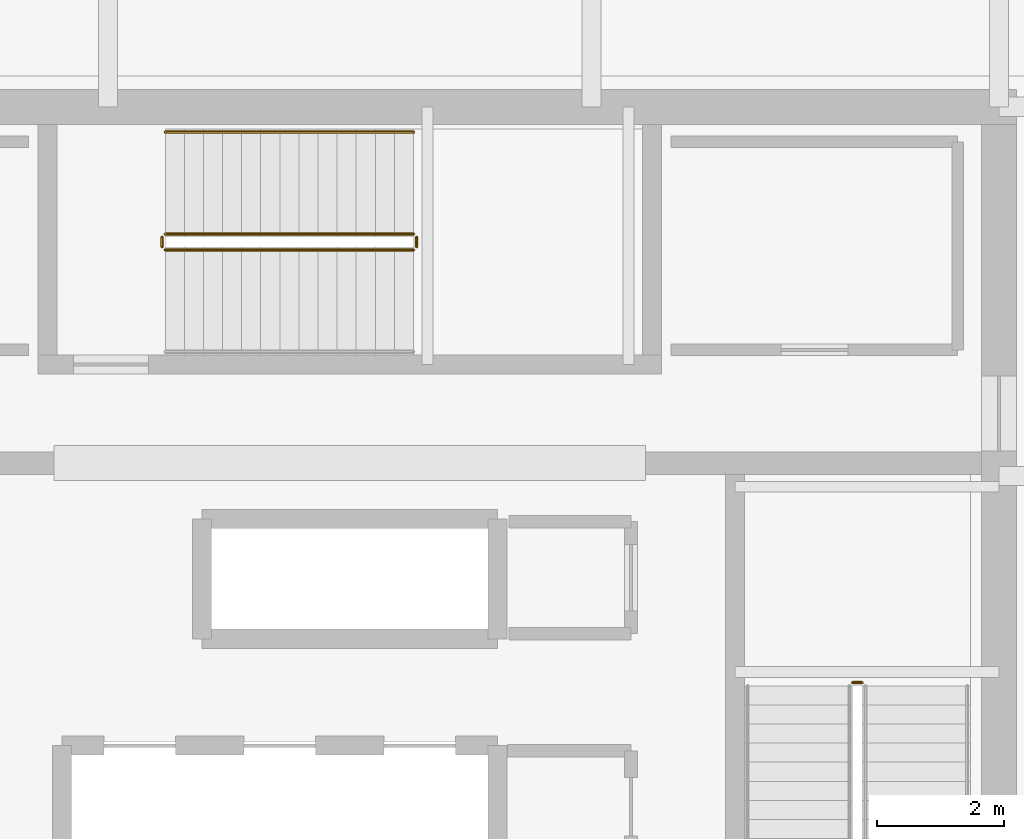
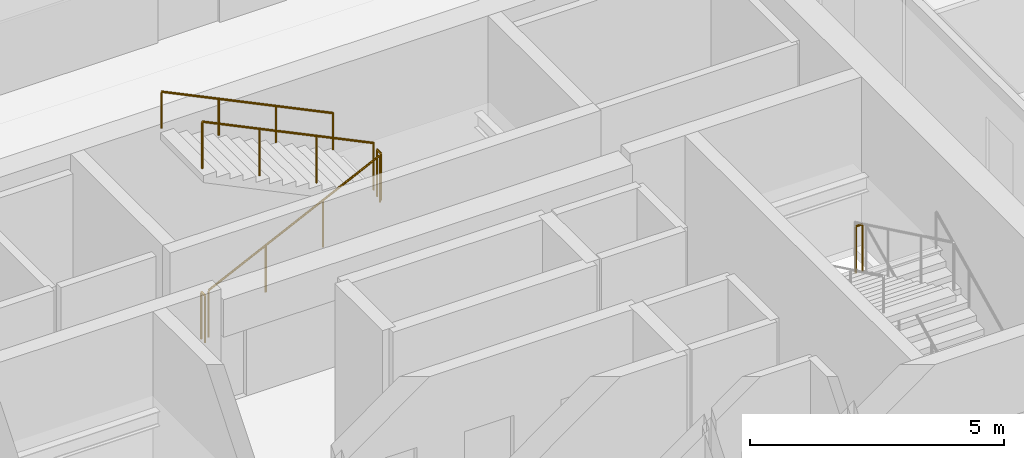
# One storey, part 41 of 42: 6 railings.
"""IFC4 building model written with IfcOpenShell, lengths in metres."""

from ifc_helpers import new_model, si_unit, direction, frame, origin, origin_2d, place, context, subcontext, project, spatial, circle, extrude, material, type_object, element, save


model = new_model("IFC4")

# Units and contexts
model_context = context("Model", 3, precision=1e-05, world=origin(), true_north=direction((0.0, 1.0)))
body_context = subcontext(model_context, "Body", "Model", "MODEL_VIEW")
ifc_project = project(units=[si_unit("LENGTHUNIT", "METRE"), si_unit("AREAUNIT", "SQUARE_METRE"), si_unit("VOLUMEUNIT", "CUBIC_METRE"), si_unit("PLANEANGLEUNIT", "RADIAN"), si_unit("MASSUNIT", "GRAM", prefix="KILO")], contexts=[model_context])

# Site, building, storey
site_placement = place(None, origin())
site = spatial("IfcSite", under=ifc_project, at=site_placement, CompositionType="ELEMENT")
building_placement = place(site_placement, origin())
building = spatial("IfcBuilding", under=site, at=building_placement, Name="Punatoya Terracotta Tower", CompositionType="ELEMENT")
storey_placement = place(building_placement, frame((0.0, 0.0, 259.5)))
storey = spatial("IfcBuildingStorey", under=building, at=storey_placement, Name="L61", CompositionType="ELEMENT", Elevation=259.5)

# Railings
ifc_material = material(Name="Steel S355", Category="steel")
railing_type_1 = type_object("IfcRailingType", Name="RLG-GRD-1150", PredefinedType="GUARDRAIL", material=ifc_material)
railing_1_placement = place(storey_placement, frame((8.050048828125, 0.14990234375, 2.02490234375)))
element("IfcRailing", 1, at=railing_1_placement, inside=storey, type_object=railing_type_1, Name="L61 ST-2 stair guard 2", PredefinedType="GUARDRAIL", context=body_context, shape_type="SweptSolid", body=[
    extrude(circle(Radius=0.02392578125, at=origin_2d()), frame((0.0, 0.0, 1.1259765625), z_axis=(-1.0, 0.0, 0.0), x_axis=(0.0, -1.0, 0.0)), (0.0, 0.0, 1.0), 0.150146484375),
    extrude(circle(Radius=0.02099609375, at=origin_2d()), origin(), (0.0, 0.0, 1.0), 1.101806640625),
    extrude(circle(Radius=0.02099609375, at=origin_2d()), frame((-0.150146484375, 0.0, 0.0)), (0.0, 0.0, 1.0), 1.101806640625),
])
railing_2_placement = place(storey_placement, frame((-2.89990234375, 6.949951171875, 0.14453125)))
element("IfcRailing", 2, at=railing_2_placement, inside=storey, type_object=railing_type_1, Name="L61 ST-3 stair guard 1", PredefinedType="GUARDRAIL", context=body_context, shape_type="SweptSolid", body=[
    extrude(circle(Radius=0.02392578125, at=origin_2d()), frame((0.0, 0.0, 1.1259765625), z_axis=(0.900763166376, 0.0, 0.434310623978), x_axis=(0.0, 1.0, 0.0)), (0.0, 0.0, 1.0), 4.32958984375),
    extrude(circle(Radius=0.02099609375, at=origin_2d()), origin(), (0.0, 0.0, 1.0), 1.101806640625),
    extrude(circle(Radius=0.02099609375, at=origin_2d()), frame((1.300048828125, 0.0, 0.626708984375)), (0.0, 0.0, 1.0), 1.101806640625),
    extrude(circle(Radius=0.02099609375, at=origin_2d()), frame((2.599853515625, 0.0, 1.253662109375)), (0.0, 0.0, 1.0), 1.101806640625),
    extrude(circle(Radius=0.02099609375, at=origin_2d()), frame((3.89990234375, 0.0, 1.88037109375)), (0.0, 0.0, 1.0), 1.101806640625),
])
railing_3_placement = place(storey_placement, frame((1.050048828125, 7.0, 2.02490234375)))
element("IfcRailing", 3, at=railing_3_placement, inside=storey, type_object=railing_type_1, Name="L61 ST-3 stair guard 2", PredefinedType="GUARDRAIL", context=body_context, shape_type="SweptSolid", body=[
    extrude(circle(Radius=0.02392578125, at=origin_2d()), frame((0.0, 0.0, 1.1259765625), z_axis=(0.0, 1.0, 0.0), x_axis=(-1.0, 0.0, 0.0)), (0.0, 0.0, 1.0), 0.14990234375),
    extrude(circle(Radius=0.02099609375, at=origin_2d()), origin(), (0.0, 0.0, 1.0), 1.101806640625),
    extrude(circle(Radius=0.02099609375, at=origin_2d()), frame((0.0, 0.14990234375, 0.0)), (0.0, 0.0, 1.0), 1.101806640625),
])
railing_4_placement = place(storey_placement, frame((1.0, 7.199951171875, 2.169677734375)))
element("IfcRailing", 4, at=railing_4_placement, inside=storey, type_object=railing_type_1, Name="L61 ST-3 stair guard 3", PredefinedType="GUARDRAIL", context=body_context, shape_type="SweptSolid", body=[
    extrude(circle(Radius=0.02392578125, at=origin_2d()), frame((0.0, 0.0, 1.1259765625), z_axis=(-0.900763166376, 0.0, 0.434310623978), x_axis=(0.0, -1.0, 0.0)), (0.0, 0.0, 1.0), 4.32958984375),
    extrude(circle(Radius=0.02099609375, at=origin_2d()), origin(), (0.0, 0.0, 1.0), 1.101806640625),
    extrude(circle(Radius=0.02099609375, at=origin_2d()), frame((-1.300048828125, 0.0, 0.626708984375)), (0.0, 0.0, 1.0), 1.101806640625),
    extrude(circle(Radius=0.02099609375, at=origin_2d()), frame((-2.599853515625, 0.0, 1.253662109375)), (0.0, 0.0, 1.0), 1.101806640625),
    extrude(circle(Radius=0.02099609375, at=origin_2d()), frame((-3.89990234375, 0.0, 1.88037109375)), (0.0, 0.0, 1.0), 1.101806640625),
])
railing_5_placement = place(storey_placement, frame((-2.949951171875, 7.0, 0.0)))
element("IfcRailing", 5, at=railing_5_placement, inside=storey, type_object=railing_type_1, Name="L61 ST-3 stair guard 4", PredefinedType="GUARDRAIL", context=body_context, shape_type="SweptSolid", body=[
    extrude(circle(Radius=0.02392578125, at=origin_2d()), frame((0.0, 0.0, 1.1259765625), z_axis=(0.0, 1.0, 0.0), x_axis=(-1.0, 0.0, 0.0)), (0.0, 0.0, 1.0), 0.14990234375),
    extrude(circle(Radius=0.02099609375, at=origin_2d()), origin(), (0.0, 0.0, 1.0), 1.101806640625),
    extrude(circle(Radius=0.02099609375, at=origin_2d()), frame((0.0, 0.14990234375, 0.0)), (0.0, 0.0, 1.0), 1.101806640625),
])
railing_type_2 = type_object("IfcRailingType", Name="RLG-HND-900", PredefinedType="HANDRAIL", material=ifc_material)
railing_6_placement = place(storey_placement, frame((1.0, 8.800048828125, 2.169677734375)))
element("IfcRailing", 6, at=railing_6_placement, inside=storey, type_object=railing_type_2, Name="L61 ST-3 stair handrail 2", PredefinedType="HANDRAIL", context=body_context, shape_type="SweptSolid", body=[
    extrude(circle(Radius=0.02392578125, at=origin_2d()), frame((0.0, 0.0, 0.8759765625), z_axis=(-0.900763166376, 0.0, 0.434310623978), x_axis=(0.0, -1.0, 0.0)), (0.0, 0.0, 1.0), 4.32958984375),
    extrude(circle(Radius=0.02099609375, at=origin_2d()), origin(), (0.0, 0.0, 1.0), 0.851806640625),
    extrude(circle(Radius=0.02099609375, at=origin_2d()), frame((-1.300048828125, 0.0, 0.626708984375)), (0.0, 0.0, 1.0), 0.851806640625),
    extrude(circle(Radius=0.02099609375, at=origin_2d()), frame((-2.599853515625, 0.0, 1.253662109375)), (0.0, 0.0, 1.0), 0.851806640625),
    extrude(circle(Radius=0.02099609375, at=origin_2d()), frame((-3.89990234375, 0.0, 1.88037109375)), (0.0, 0.0, 1.0), 0.851806640625),
])

save(model, "model.ifc")
